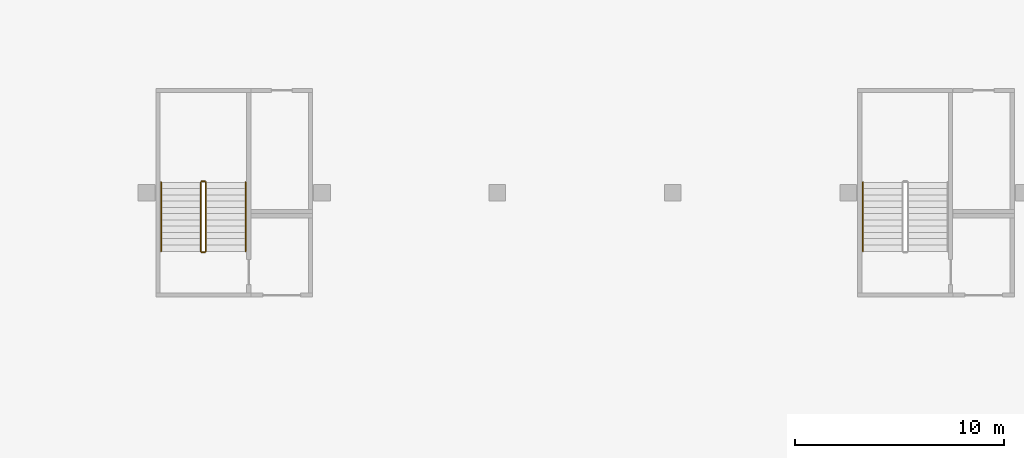
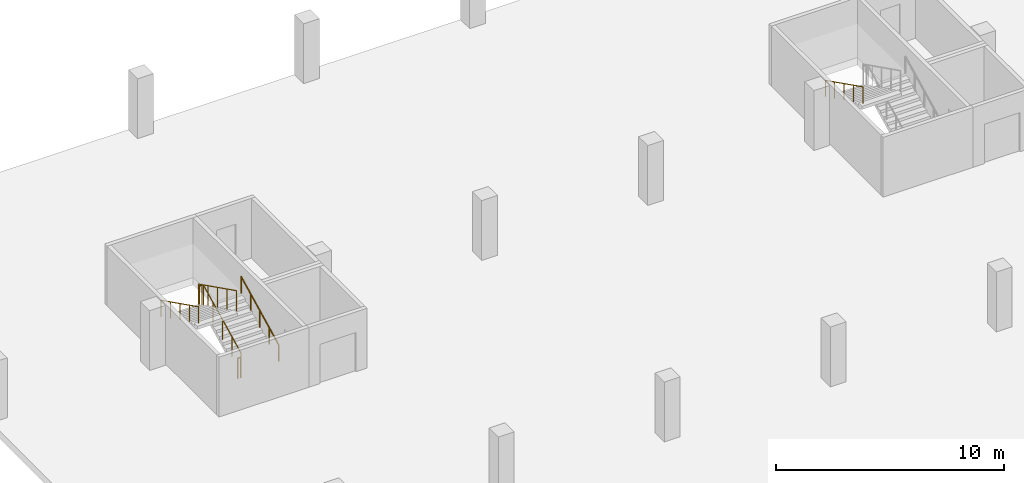
# One storey, part 34 of 37: 7 railings.
"""IFC4 building model written with IfcOpenShell, lengths in metres."""

import ifcopenshell
import ifcopenshell.guid

model = None  # the IFC model being written
_history = None  # IfcOwnerHistory: only IFC2X3 demands one
_inside = {}  # id of a spatial element -> (the spatial element, [elements in it])
_under = {}  # id of a project, library or spatial element -> (it, [spatial elements below it])
_declared = {}  # id of a project -> (the project, [libraries it declares])
_typed = {}  # id of a type object -> (the type object, [elements of that type])
_made_of = {}  # id of a material, layer set ... -> (it, [elements and type objects made of it])


def new_model(schema):
    """Start an empty IFC model of exactly this schema.

    Asked for "IFC4X3", IfcOpenShell would pick the latest addendum, in which some entities
    have other attributes; the version numbers below select the first issue.
    IFC2X3 requires an IfcOwnerHistory on every rooted entity: one is made here for all.
    """
    global model, _history
    if schema == "IFC4X3":
        model = ifcopenshell.file(schema_version=(4, 3, 0, 0))
    else:
        model = ifcopenshell.file(schema=schema)
    _inside.clear()
    _under.clear()
    _declared.clear()
    _typed.clear()
    _made_of.clear()
    _history = None
    if model.schema == "IFC2X3":
        org = make("IfcOrganization", Name="unknown")
        user = make(
            "IfcPersonAndOrganization",
            ThePerson=make("IfcPerson", FamilyName="unknown"),
            TheOrganization=org,
        )
        app = make(
            "IfcApplication",
            ApplicationDeveloper=org,
            Version="unknown",
            ApplicationFullName="unknown",
            ApplicationIdentifier="unknown",
        )
        _history = make(
            "IfcOwnerHistory",
            OwningUser=user,
            OwningApplication=app,
            ChangeAction="ADDED",
            CreationDate=0,
        )
    return model


def make(cls, **values):
    """One entity of the class cls with the attributes given. An attribute that is None is left unset."""
    return model.create_entity(
        cls, **{name: value for name, value in values.items() if value is not None}
    )


def rooted(cls, **values):
    """An entity with a GlobalId (a new one), such as an element, a storey or a relation."""
    return make(cls, GlobalId=ifcopenshell.guid.new(), OwnerHistory=_history, **values)


def si_unit(unit_type, name, prefix=None):
    """IfcSIUnit, for example si_unit("LENGTHUNIT", "METRE", prefix="MILLI")."""
    return make("IfcSIUnit", UnitType=unit_type, Prefix=prefix, Name=name)


def assignment(units):
    """IfcUnitAssignment: the units of a project."""
    return None if units is None else make("IfcUnitAssignment", Units=units)


def point(xyz):
    """IfcCartesianPoint."""
    return None if xyz is None else make("IfcCartesianPoint", Coordinates=xyz)


def direction(xyz):
    """IfcDirection."""
    return None if xyz is None else make("IfcDirection", DirectionRatios=xyz)


def frame(location, z_axis=None, x_axis=None):
    """IfcAxis2Placement3D, a coordinate frame: its origin and axes. An axis left out is left unset."""
    return make(
        "IfcAxis2Placement3D",
        Location=point(location),
        Axis=direction(z_axis),
        RefDirection=direction(x_axis),
    )


def frame_2d(location, x_axis=None):
    """IfcAxis2Placement2D, a coordinate frame in the plane: its origin and x axis."""
    return make(
        "IfcAxis2Placement2D", Location=point(location), RefDirection=direction(x_axis)
    )


def origin():
    """The frame at (0, 0, 0) with its axes left unset."""
    return frame((0.0, 0.0, 0.0))


def origin_2d():
    """The frame at (0, 0) in the plane with its x axis left unset."""
    return frame_2d((0.0, 0.0))


def place(relative_to, where):
    """IfcLocalPlacement: puts the frame where relative to a parent placement (None: the world)."""
    return make(
        "IfcLocalPlacement", PlacementRelTo=relative_to, RelativePlacement=where
    )


def context(
    kind, dimensions, precision=None, world=None, true_north=None, identifier=None
):
    """IfcGeometricRepresentationContext, for example the 3D "Model" context."""
    return make(
        "IfcGeometricRepresentationContext",
        ContextIdentifier=identifier,
        ContextType=kind,
        CoordinateSpaceDimension=dimensions,
        Precision=precision,
        WorldCoordinateSystem=world,
        TrueNorth=true_north,
    )


def subcontext(parent, identifier, kind, view, scale=None):
    """IfcGeometricRepresentationSubContext, for example "Body" below "Model"."""
    return make(
        "IfcGeometricRepresentationSubContext",
        ContextIdentifier=identifier,
        ContextType=kind,
        ParentContext=parent,
        TargetScale=scale,
        TargetView=view,
    )


def project(units=None, contexts=None):
    """IfcProject with its units and contexts."""
    return rooted(
        "IfcProject",
        Name="project",
        RepresentationContexts=contexts,
        UnitsInContext=assignment(units),
    )


def spatial(cls, under=None, at=None, **own):
    """A site, building, storey or space (cls), placed at a placement, below another one or the project."""
    s = rooted(cls, ObjectPlacement=at, **own)
    if under is not None:
        _under.setdefault(under.id(), (under, []))[1].append(s)
    return s


def profile(cls, at=None, kind="AREA", **sizes):
    """A parametric profile (cls). Its sizes go by their IFC names, for example OverallWidth=200.0."""
    return make(cls, ProfileType=kind, Position=at, **sizes)


def circle(**sizes):
    """IfcCircleProfileDef."""
    return profile("IfcCircleProfileDef", **sizes)


def extrude(swept, where, along, depth):
    """IfcExtrudedAreaSolid: the profile swept, set in the frame where, extruded along a direction by depth."""
    return make(
        "IfcExtrudedAreaSolid",
        SweptArea=swept,
        Position=where,
        ExtrudedDirection=direction(along),
        Depth=depth,
    )


def shape(context_of_items, identifier, shape_type, items):
    """IfcShapeRepresentation: the items that make up one representation, for example the "Body"."""
    return make(
        "IfcShapeRepresentation",
        ContextOfItems=context_of_items,
        RepresentationIdentifier=identifier,
        RepresentationType=shape_type,
        Items=items,
    )


def material(Name=None, Category=None):
    """IfcMaterial."""
    return make("IfcMaterial", Name=Name, Category=Category)


def made_of(thing, what):
    """Note that an element or type object is made of a material, layer set ...; save() writes the relation."""
    if what is not None:
        _made_of.setdefault(what.id(), (what, []))[1].append(thing)
    return thing


def type_object(cls, material=None, **own):
    """A type object (cls), such as IfcWallType, which elements share."""
    return made_of(rooted(cls, **own), material)


def element(
    cls,
    number,
    at=None,
    inside=None,
    cuts=None,
    type_object=None,
    material=None,
    context=None,
    identifier="Body",
    shape_type=None,
    held_by="IfcProductDefinitionShape",
    body=None,
    shapes=None,
    **own,
):
    """One element of the class cls, such as IfcWall. Its Tag is "e" and its number.

    at: its placement. inside: the storey or other place that contains it. cuts: it is an
    opening in that element (IfcRelVoidsElement). A single representation is given by context,
    identifier, shape_type and body (its items); several are given by shapes. held_by: the class
    of the entity that holds the representations. save() writes the other relations.
    """
    e = rooted(cls, Tag="e%d" % number, ObjectPlacement=at, **own)
    if body is not None:
        shapes = [shape(context, identifier, shape_type, body)]
    if shapes is not None:
        e.Representation = make(held_by, Representations=shapes)
    if inside is not None:
        _inside.setdefault(inside.id(), (inside, []))[1].append(e)
    if cuts is not None:
        rooted(
            "IfcRelVoidsElement", RelatingBuildingElement=cuts, RelatedOpeningElement=e
        )
    if type_object is not None:
        _typed.setdefault(type_object.id(), (type_object, []))[1].append(e)
    return made_of(e, material)


def aggregate(whole, parts):
    """IfcRelAggregates: a whole, such as a stair, and the parts it consists of."""
    return rooted("IfcRelAggregates", RelatingObject=whole, RelatedObjects=parts)


def save(model, path):
    """Write the relations noted so far, then the file.

    IfcRelAggregates (storeys below a building ...), IfcRelContainedInSpatialStructure (elements
    in a storey), IfcRelDefinesByType, IfcRelAssociatesMaterial and IfcRelDeclares: one each for
    every whole, place, type object, material and project.
    """
    for whole, parts in _under.values():
        aggregate(whole, parts)
    for where, things in _inside.values():
        rooted(
            "IfcRelContainedInSpatialStructure",
            RelatedElements=things,
            RelatingStructure=where,
        )
    for kind, things in _typed.values():
        rooted("IfcRelDefinesByType", RelatedObjects=things, RelatingType=kind)
    for what, things in _made_of.values():
        rooted("IfcRelAssociatesMaterial", RelatedObjects=things, RelatingMaterial=what)
    for by, libraries in _declared.values():
        rooted("IfcRelDeclares", RelatingContext=by, RelatedDefinitions=libraries)
    model.write(path)


model = new_model("IFC4")

# Units and contexts
model_context = context("Model", 3, precision=1e-05, world=origin(), true_north=direction((0.0, 1.0)))
body_context = subcontext(model_context, "Body", "Model", "MODEL_VIEW")
ifc_project = project(units=[si_unit("LENGTHUNIT", "METRE"), si_unit("AREAUNIT", "SQUARE_METRE"), si_unit("VOLUMEUNIT", "CUBIC_METRE"), si_unit("PLANEANGLEUNIT", "RADIAN"), si_unit("MASSUNIT", "GRAM", prefix="KILO")], contexts=[model_context])

# Site, building, storey
site_placement = place(None, origin())
site = spatial("IfcSite", under=ifc_project, at=site_placement, CompositionType="ELEMENT")
building_placement = place(site_placement, origin())
building = spatial("IfcBuilding", under=site, at=building_placement, Name="Tamra Quay Hotel Tower", CompositionType="ELEMENT")
storey_placement = place(building_placement, frame((0.0, 0.0, -7.199951171875)))
storey = spatial("IfcBuildingStorey", under=building, at=storey_placement, Name="B2", CompositionType="ELEMENT", Elevation=-7.199951171875)

# Railings
ifc_material_1 = material(Name="Basement stair guard 1100")
railing_type_1 = type_object("IfcRailingType", Name="Basement stair guard 1100", PredefinedType="GUARDRAIL", material=ifc_material_1)
railing_1_placement = place(storey_placement, frame((-111.449951171875, 61.199951171875, 0.14990234375)))
element("IfcRailing", 1, at=railing_1_placement, inside=storey, type_object=railing_type_1, Name="BSG", PredefinedType="GUARDRAIL", context=body_context, shape_type="SweptSolid", body=[
    extrude(circle(Radius=0.02392578125, at=origin_2d()), frame((0.0, 0.0, 1.076171875), z_axis=(0.0, 0.894413956696, 0.447240063129), x_axis=(-1.0, 0.0, 0.0)), (0.0, 0.0, 1.0), 3.689697265625),
    extrude(circle(Radius=0.02099609375, at=origin_2d()), origin(), (0.0, 0.0, 1.0), 1.052001953125),
    extrude(circle(Radius=0.02099609375, at=origin_2d()), frame((0.0, 0.824951171875, 0.41259765625)), (0.0, 0.0, 1.0), 1.052001953125),
    extrude(circle(Radius=0.02099609375, at=origin_2d()), frame((0.0, 1.64990234375, 0.8251953125)), (0.0, 0.0, 1.0), 1.052001953125),
    extrude(circle(Radius=0.02099609375, at=origin_2d()), frame((0.0, 2.47509765625, 1.237548828125)), (0.0, 0.0, 1.0), 1.052001953125),
    extrude(circle(Radius=0.02099609375, at=origin_2d()), frame((0.0, 3.300048828125, 1.650146484375)), (0.0, 0.0, 1.0), 1.052001953125),
])
railing_2_placement = place(storey_placement, frame((-111.5, 64.550048828125, 1.800048828125)))
element("IfcRailing", 2, at=railing_2_placement, inside=storey, type_object=railing_type_1, Name="BSG", PredefinedType="GUARDRAIL", context=body_context, shape_type="SweptSolid", body=[
    extrude(circle(Radius=0.02392578125, at=origin_2d()), frame((0.0, 0.0, 1.076171875), z_axis=(-1.0, 0.0, 0.0), x_axis=(0.0, -1.0, 0.0)), (0.0, 0.0, 1.0), 0.14990234375),
    extrude(circle(Radius=0.02099609375, at=origin_2d()), origin(), (0.0, 0.0, 1.0), 1.052001953125),
    extrude(circle(Radius=0.02099609375, at=origin_2d()), frame((-0.14990234375, 0.0, 0.0)), (0.0, 0.0, 1.0), 1.052001953125),
])
railing_3_placement = place(storey_placement, frame((-111.699951171875, 64.5, 1.949951171875)))
element("IfcRailing", 3, at=railing_3_placement, inside=storey, type_object=railing_type_1, Name="BSG", PredefinedType="GUARDRAIL", context=body_context, shape_type="SweptSolid", body=[
    extrude(circle(Radius=0.02392578125, at=origin_2d()), frame((0.0, 0.0, 1.076171875), z_axis=(0.0, -0.894440424912, 0.447187126696), x_axis=(1.0, 0.0, 0.0)), (0.0, 0.0, 1.0), 3.689453125),
    extrude(circle(Radius=0.02099609375, at=origin_2d()), origin(), (0.0, 0.0, 1.0), 1.052001953125),
    extrude(circle(Radius=0.02099609375, at=origin_2d()), frame((0.0, -0.824951171875, 0.41259765625)), (0.0, 0.0, 1.0), 1.052001953125),
    extrude(circle(Radius=0.02099609375, at=origin_2d()), frame((0.0, -1.64990234375, 0.824951171875)), (0.0, 0.0, 1.0), 1.052001953125),
    extrude(circle(Radius=0.02099609375, at=origin_2d()), frame((0.0, -2.47509765625, 1.2373046875)), (0.0, 0.0, 1.0), 1.052001953125),
    extrude(circle(Radius=0.02099609375, at=origin_2d()), frame((0.0, -3.300048828125, 1.64990234375)), (0.0, 0.0, 1.0), 1.052001953125),
])
railing_4_placement = place(storey_placement, frame((-111.5, 61.14990234375, 0.0)))
element("IfcRailing", 4, at=railing_4_placement, inside=storey, type_object=railing_type_1, Name="BSG", PredefinedType="GUARDRAIL", context=body_context, shape_type="SweptSolid", body=[
    extrude(circle(Radius=0.02392578125, at=origin_2d()), frame((0.0, 0.0, 1.076171875), z_axis=(-1.0, 0.0, 0.0), x_axis=(0.0, -1.0, 0.0)), (0.0, 0.0, 1.0), 0.14990234375),
    extrude(circle(Radius=0.02099609375, at=origin_2d()), origin(), (0.0, 0.0, 1.0), 1.052001953125),
    extrude(circle(Radius=0.02099609375, at=origin_2d()), frame((-0.14990234375, 0.0, 0.0)), (0.0, 0.0, 1.0), 1.052001953125),
])
ifc_material_2 = material(Name="Basement stair handrail 900")
railing_type_2 = type_object("IfcRailingType", Name="Basement stair handrail 900", PredefinedType="HANDRAIL", material=ifc_material_2)
railing_5_placement = place(storey_placement, frame((-109.550048828125, 61.199951171875, 0.14990234375)))
element("IfcRailing", 5, at=railing_5_placement, inside=storey, type_object=railing_type_2, Name="BSH", PredefinedType="HANDRAIL", context=body_context, shape_type="SweptSolid", body=[
    extrude(circle(Radius=0.02392578125, at=origin_2d()), frame((0.0, 0.0, 0.8759765625), z_axis=(0.0, 0.894413956696, 0.447240063129), x_axis=(-1.0, 0.0, 0.0)), (0.0, 0.0, 1.0), 3.689697265625),
    extrude(circle(Radius=0.02099609375, at=origin_2d()), origin(), (0.0, 0.0, 1.0), 0.851806640625),
    extrude(circle(Radius=0.02099609375, at=origin_2d()), frame((0.0, 0.824951171875, 0.41259765625)), (0.0, 0.0, 1.0), 0.851806640625),
    extrude(circle(Radius=0.02099609375, at=origin_2d()), frame((0.0, 1.64990234375, 0.8251953125)), (0.0, 0.0, 1.0), 0.851806640625),
    extrude(circle(Radius=0.02099609375, at=origin_2d()), frame((0.0, 2.47509765625, 1.237548828125)), (0.0, 0.0, 1.0), 0.851806640625),
    extrude(circle(Radius=0.02099609375, at=origin_2d()), frame((0.0, 3.300048828125, 1.650146484375)), (0.0, 0.0, 1.0), 0.851806640625),
])
for number, where, name in (
    (6, (-113.60009765625, 64.5, 1.949951171875), "BSH"),
    (7, (-80.0, 64.5, 1.949951171875), "BSH"),
):
    element("IfcRailing", number, at=place(storey_placement, frame(where)), inside=storey, type_object=railing_type_2, Name=name, PredefinedType="HANDRAIL", context=body_context, shape_type="SweptSolid", body=[
        extrude(circle(Radius=0.02392578125, at=origin_2d()), frame((0.0, 0.0, 0.8759765625), z_axis=(0.0, -0.894440424912, 0.447187126696), x_axis=(1.0, 0.0, 0.0)), (0.0, 0.0, 1.0), 3.689453125),
        extrude(circle(Radius=0.02099609375, at=origin_2d()), origin(), (0.0, 0.0, 1.0), 0.851806640625),
        extrude(circle(Radius=0.02099609375, at=origin_2d()), frame((0.0, -0.824951171875, 0.41259765625)), (0.0, 0.0, 1.0), 0.851806640625),
        extrude(circle(Radius=0.02099609375, at=origin_2d()), frame((0.0, -1.64990234375, 0.824951171875)), (0.0, 0.0, 1.0), 0.851806640625),
        extrude(circle(Radius=0.02099609375, at=origin_2d()), frame((0.0, -2.47509765625, 1.2373046875)), (0.0, 0.0, 1.0), 0.851806640625),
        extrude(circle(Radius=0.02099609375, at=origin_2d()), frame((0.0, -3.300048828125, 1.64990234375)), (0.0, 0.0, 1.0), 0.851806640625),
    ])

save(model, "model.ifc")
